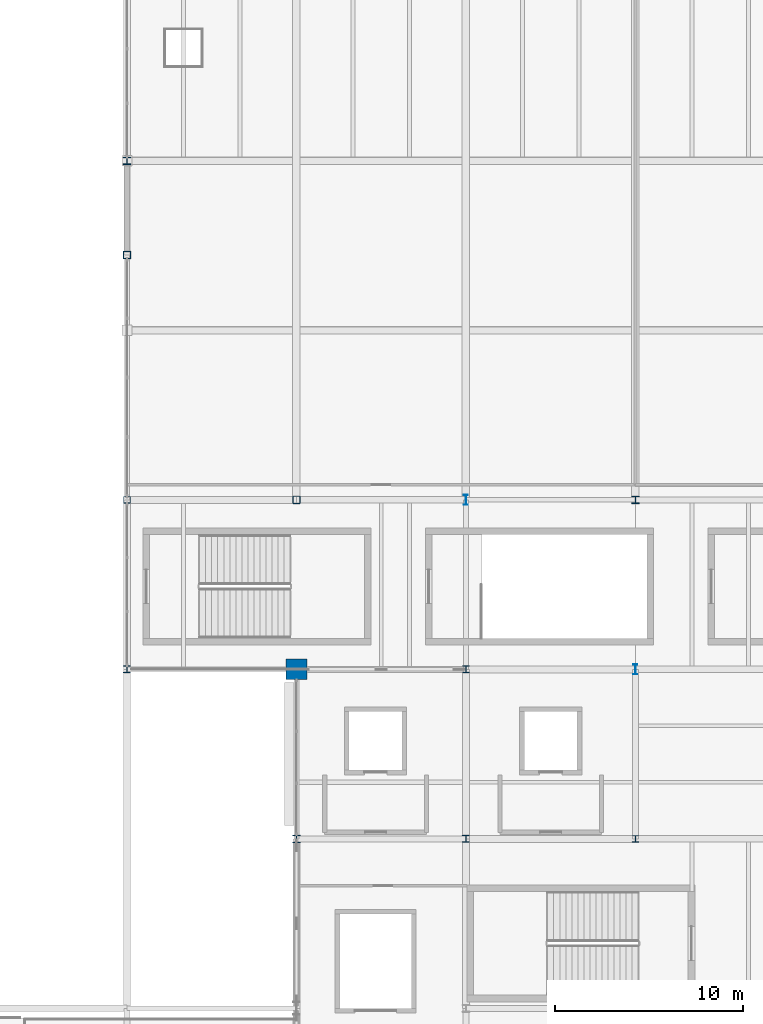
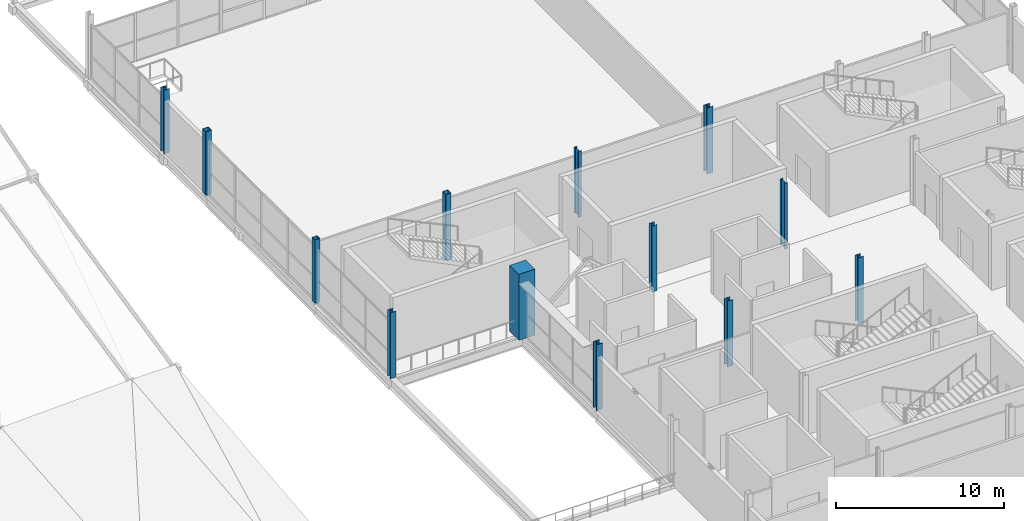
# One storey, part 6 of 69: 13 columns.
"""IFC4 building model written with IfcOpenShell, lengths in metres."""

import ifcopenshell
import ifcopenshell.guid

model = None  # the IFC model being written
_history = None  # IfcOwnerHistory: only IFC2X3 demands one
_inside = {}  # id of a spatial element -> (the spatial element, [elements in it])
_under = {}  # id of a project, library or spatial element -> (it, [spatial elements below it])
_declared = {}  # id of a project -> (the project, [libraries it declares])
_typed = {}  # id of a type object -> (the type object, [elements of that type])
_made_of = {}  # id of a material, layer set ... -> (it, [elements and type objects made of it])


def new_model(schema):
    """Start an empty IFC model of exactly this schema.

    Asked for "IFC4X3", IfcOpenShell would pick the latest addendum, in which some entities
    have other attributes; the version numbers below select the first issue.
    IFC2X3 requires an IfcOwnerHistory on every rooted entity: one is made here for all.
    """
    global model, _history
    if schema == "IFC4X3":
        model = ifcopenshell.file(schema_version=(4, 3, 0, 0))
    else:
        model = ifcopenshell.file(schema=schema)
    _inside.clear()
    _under.clear()
    _declared.clear()
    _typed.clear()
    _made_of.clear()
    _history = None
    if model.schema == "IFC2X3":
        org = make("IfcOrganization", Name="unknown")
        user = make(
            "IfcPersonAndOrganization",
            ThePerson=make("IfcPerson", FamilyName="unknown"),
            TheOrganization=org,
        )
        app = make(
            "IfcApplication",
            ApplicationDeveloper=org,
            Version="unknown",
            ApplicationFullName="unknown",
            ApplicationIdentifier="unknown",
        )
        _history = make(
            "IfcOwnerHistory",
            OwningUser=user,
            OwningApplication=app,
            ChangeAction="ADDED",
            CreationDate=0,
        )
    return model


def make(cls, **values):
    """One entity of the class cls with the attributes given. An attribute that is None is left unset."""
    return model.create_entity(
        cls, **{name: value for name, value in values.items() if value is not None}
    )


def rooted(cls, **values):
    """An entity with a GlobalId (a new one), such as an element, a storey or a relation."""
    return make(cls, GlobalId=ifcopenshell.guid.new(), OwnerHistory=_history, **values)


def si_unit(unit_type, name, prefix=None):
    """IfcSIUnit, for example si_unit("LENGTHUNIT", "METRE", prefix="MILLI")."""
    return make("IfcSIUnit", UnitType=unit_type, Prefix=prefix, Name=name)


def assignment(units):
    """IfcUnitAssignment: the units of a project."""
    return None if units is None else make("IfcUnitAssignment", Units=units)


def point(xyz):
    """IfcCartesianPoint."""
    return None if xyz is None else make("IfcCartesianPoint", Coordinates=xyz)


def direction(xyz):
    """IfcDirection."""
    return None if xyz is None else make("IfcDirection", DirectionRatios=xyz)


def frame(location, z_axis=None, x_axis=None):
    """IfcAxis2Placement3D, a coordinate frame: its origin and axes. An axis left out is left unset."""
    return make(
        "IfcAxis2Placement3D",
        Location=point(location),
        Axis=direction(z_axis),
        RefDirection=direction(x_axis),
    )


def frame_2d(location, x_axis=None):
    """IfcAxis2Placement2D, a coordinate frame in the plane: its origin and x axis."""
    return make(
        "IfcAxis2Placement2D", Location=point(location), RefDirection=direction(x_axis)
    )


def origin():
    """The frame at (0, 0, 0) with its axes left unset."""
    return frame((0.0, 0.0, 0.0))


def origin_2d():
    """The frame at (0, 0) in the plane with its x axis left unset."""
    return frame_2d((0.0, 0.0))


def place(relative_to, where):
    """IfcLocalPlacement: puts the frame where relative to a parent placement (None: the world)."""
    return make(
        "IfcLocalPlacement", PlacementRelTo=relative_to, RelativePlacement=where
    )


def context(
    kind, dimensions, precision=None, world=None, true_north=None, identifier=None
):
    """IfcGeometricRepresentationContext, for example the 3D "Model" context."""
    return make(
        "IfcGeometricRepresentationContext",
        ContextIdentifier=identifier,
        ContextType=kind,
        CoordinateSpaceDimension=dimensions,
        Precision=precision,
        WorldCoordinateSystem=world,
        TrueNorth=true_north,
    )


def subcontext(parent, identifier, kind, view, scale=None):
    """IfcGeometricRepresentationSubContext, for example "Body" below "Model"."""
    return make(
        "IfcGeometricRepresentationSubContext",
        ContextIdentifier=identifier,
        ContextType=kind,
        ParentContext=parent,
        TargetScale=scale,
        TargetView=view,
    )


def project(units=None, contexts=None):
    """IfcProject with its units and contexts."""
    return rooted(
        "IfcProject",
        Name="project",
        RepresentationContexts=contexts,
        UnitsInContext=assignment(units),
    )


def spatial(cls, under=None, at=None, **own):
    """A site, building, storey or space (cls), placed at a placement, below another one or the project."""
    s = rooted(cls, ObjectPlacement=at, **own)
    if under is not None:
        _under.setdefault(under.id(), (under, []))[1].append(s)
    return s


def profile(cls, at=None, kind="AREA", **sizes):
    """A parametric profile (cls). Its sizes go by their IFC names, for example OverallWidth=200.0."""
    return make(cls, ProfileType=kind, Position=at, **sizes)


def rectangle(**sizes):
    """IfcRectangleProfileDef."""
    return profile("IfcRectangleProfileDef", **sizes)


def hollow_rectangle(**sizes):
    """IfcRectangleHollowProfileDef."""
    return profile("IfcRectangleHollowProfileDef", **sizes)


def i_section(**sizes):
    """IfcIShapeProfileDef."""
    return profile("IfcIShapeProfileDef", **sizes)


def extrude(swept, where, along, depth):
    """IfcExtrudedAreaSolid: the profile swept, set in the frame where, extruded along a direction by depth."""
    return make(
        "IfcExtrudedAreaSolid",
        SweptArea=swept,
        Position=where,
        ExtrudedDirection=direction(along),
        Depth=depth,
    )


def shape(context_of_items, identifier, shape_type, items):
    """IfcShapeRepresentation: the items that make up one representation, for example the "Body"."""
    return make(
        "IfcShapeRepresentation",
        ContextOfItems=context_of_items,
        RepresentationIdentifier=identifier,
        RepresentationType=shape_type,
        Items=items,
    )


def material(Name=None, Category=None):
    """IfcMaterial."""
    return make("IfcMaterial", Name=Name, Category=Category)


def material_profile(
    of_material, cross_section, Name=None, Category=None, Priority=None
):
    """IfcMaterialProfile: a cross section and its material."""
    return make(
        "IfcMaterialProfile",
        Name=Name,
        Material=of_material,
        Profile=cross_section,
        Priority=Priority,
        Category=Category,
    )


def profile_set(profiles, Name=None, composite=None):
    """IfcMaterialProfileSet."""
    return make(
        "IfcMaterialProfileSet",
        Name=Name,
        MaterialProfiles=profiles,
        CompositeProfile=composite,
    )


def made_of(thing, what):
    """Note that an element or type object is made of a material, layer set ...; save() writes the relation."""
    if what is not None:
        _made_of.setdefault(what.id(), (what, []))[1].append(thing)
    return thing


def type_object(cls, material=None, **own):
    """A type object (cls), such as IfcWallType, which elements share."""
    return made_of(rooted(cls, **own), material)


def element(
    cls,
    number,
    at=None,
    inside=None,
    cuts=None,
    type_object=None,
    material=None,
    context=None,
    identifier="Body",
    shape_type=None,
    held_by="IfcProductDefinitionShape",
    body=None,
    shapes=None,
    **own,
):
    """One element of the class cls, such as IfcWall. Its Tag is "e" and its number.

    at: its placement. inside: the storey or other place that contains it. cuts: it is an
    opening in that element (IfcRelVoidsElement). A single representation is given by context,
    identifier, shape_type and body (its items); several are given by shapes. held_by: the class
    of the entity that holds the representations. save() writes the other relations.
    """
    e = rooted(cls, Tag="e%d" % number, ObjectPlacement=at, **own)
    if body is not None:
        shapes = [shape(context, identifier, shape_type, body)]
    if shapes is not None:
        e.Representation = make(held_by, Representations=shapes)
    if inside is not None:
        _inside.setdefault(inside.id(), (inside, []))[1].append(e)
    if cuts is not None:
        rooted(
            "IfcRelVoidsElement", RelatingBuildingElement=cuts, RelatedOpeningElement=e
        )
    if type_object is not None:
        _typed.setdefault(type_object.id(), (type_object, []))[1].append(e)
    return made_of(e, material)


def aggregate(whole, parts):
    """IfcRelAggregates: a whole, such as a stair, and the parts it consists of."""
    return rooted("IfcRelAggregates", RelatingObject=whole, RelatedObjects=parts)


def save(model, path):
    """Write the relations noted so far, then the file.

    IfcRelAggregates (storeys below a building ...), IfcRelContainedInSpatialStructure (elements
    in a storey), IfcRelDefinesByType, IfcRelAssociatesMaterial and IfcRelDeclares: one each for
    every whole, place, type object, material and project.
    """
    for whole, parts in _under.values():
        aggregate(whole, parts)
    for where, things in _inside.values():
        rooted(
            "IfcRelContainedInSpatialStructure",
            RelatedElements=things,
            RelatingStructure=where,
        )
    for kind, things in _typed.values():
        rooted("IfcRelDefinesByType", RelatedObjects=things, RelatingType=kind)
    for what, things in _made_of.values():
        rooted("IfcRelAssociatesMaterial", RelatedObjects=things, RelatingMaterial=what)
    for by, libraries in _declared.values():
        rooted("IfcRelDeclares", RelatingContext=by, RelatedDefinitions=libraries)
    model.write(path)


model = new_model("IFC4")

# Units and contexts
model_context = context("Model", 3, precision=1e-05, world=origin(), true_north=direction((0.0, 1.0)))
body_context = subcontext(model_context, "Body", "Model", "MODEL_VIEW")
ifc_project = project(units=[si_unit("LENGTHUNIT", "METRE"), si_unit("AREAUNIT", "SQUARE_METRE"), si_unit("VOLUMEUNIT", "CUBIC_METRE"), si_unit("PLANEANGLEUNIT", "RADIAN"), si_unit("MASSUNIT", "GRAM", prefix="KILO")], contexts=[model_context])

# Site, building, storey
site_placement = place(None, origin())
site = spatial("IfcSite", under=ifc_project, at=site_placement, CompositionType="ELEMENT")
building_placement = place(site_placement, origin())
building = spatial("IfcBuilding", under=site, at=building_placement, Name="Qamarlyn Nura Convention Centre", CompositionType="ELEMENT")
storey_placement = place(building_placement, frame((0.0, 0.0, 15.60009765625)))
storey = spatial("IfcBuildingStorey", under=building, at=storey_placement, Name="L03", CompositionType="ELEMENT", Elevation=15.60009765625)

# Columns
ifc_material_1 = material(Name="Steel ASTM A500 Grade C", Category="steel")
ifc_material_profile_1 = material_profile(ifc_material_1, hollow_rectangle(XDim=0.39990234375, YDim=0.39990234375, WallThickness=0.01611328125, InnerFilletRadius=0.01611328125, OuterFilletRadius=0.031982421875, at=origin_2d()), Name="HSS400X400X16")
ifc_profile_set_1 = profile_set([ifc_material_profile_1], Name="Steel ASTM A500 Grade C")
column_type_1 = type_object("IfcColumnType", Name="COL-HSS-1", PredefinedType="COLUMN", material=ifc_profile_set_1)
column_1_placement = place(storey_placement, frame((144.0, 103.0, 0.0), z_axis=(0.0, 0.0, 1.0), x_axis=(1.0, 0.0, 0.0)))
element("IfcColumn", 1, at=column_1_placement, inside=storey, type_object=column_type_1, Name="L03 column 12/M", PredefinedType="COLUMN", context=body_context, shape_type="SweptSolid", body=[
    extrude(hollow_rectangle(XDim=0.39990234375, YDim=0.39990234375, WallThickness=0.01611328125, InnerFilletRadius=0.01611328125, OuterFilletRadius=0.031982421875, at=origin_2d()), origin(), (0.0, 0.0, 1.0), 4.639892578125),
])
column_2_placement = place(storey_placement, frame((153.0, 90.0, 0.0), z_axis=(0.0, 0.0, 1.0), x_axis=(1.0, 0.0, 0.0)))
element("IfcColumn", 2, at=column_2_placement, inside=storey, type_object=column_type_1, Name="L03 column 13/L", PredefinedType="COLUMN", context=body_context, shape_type="SweptSolid", body=[
    extrude(hollow_rectangle(XDim=0.39990234375, YDim=0.39990234375, WallThickness=0.01611328125, InnerFilletRadius=0.01611328125, OuterFilletRadius=0.031982421875, at=origin_2d()), origin(), (0.0, 0.0, 1.0), 4.7998046875),
])
ifc_material_profile_2 = material_profile(ifc_material_1, hollow_rectangle(XDim=0.35009765625, YDim=0.35009765625, WallThickness=0.012451171875, InnerFilletRadius=0.012451171875, OuterFilletRadius=0.02490234375, at=origin_2d()), Name="HSS350X350X12.5")
ifc_profile_set_2 = profile_set([ifc_material_profile_2], Name="Steel ASTM A500 Grade C")
column_type_2 = type_object("IfcColumnType", Name="COL-HSS-2", PredefinedType="COLUMN", material=ifc_profile_set_2)
column_3_placement = place(storey_placement, frame((144.0, 90.0, 0.0), z_axis=(0.0, 0.0, 1.0), x_axis=(1.0, 0.0, 0.0)))
element("IfcColumn", 3, at=column_3_placement, inside=storey, type_object=column_type_2, Name="L03 column 12/L", PredefinedType="COLUMN", context=body_context, shape_type="SweptSolid", body=[
    extrude(hollow_rectangle(XDim=0.35009765625, YDim=0.35009765625, WallThickness=0.012451171875, InnerFilletRadius=0.012451171875, OuterFilletRadius=0.02490234375, at=origin_2d()), origin(), (0.0, 0.0, 1.0), 4.635009765625),
])
ifc_material_2 = material(Name="Steel ASTM A992", Category="steel")
ifc_material_profile_3 = material_profile(ifc_material_2, i_section(OverallWidth=0.408935546875, OverallDepth=0.425048828125, WebThickness=0.030517578125, FlangeThickness=0.049072265625, FilletRadius=0.02001953125, at=origin_2d()), Name="W360X421")
ifc_profile_set_3 = profile_set([ifc_material_profile_3], Name="Steel ASTM A992")
column_type_3 = type_object("IfcColumnType", Name="COL-MEGA-1", PredefinedType="COLUMN", material=ifc_profile_set_3)
column_4_placement = place(storey_placement, frame((153.0, 72.0, 0.0), z_axis=(0.0, 0.0, 1.0), x_axis=(1.0, 0.0, 0.0)))
element("IfcColumn", 4, at=column_4_placement, inside=storey, type_object=column_type_3, Name="L03 column 13/J", PredefinedType="COLUMN", context=body_context, shape_type="SweptSolid", body=[
    extrude(i_section(OverallWidth=0.408935546875, OverallDepth=0.425048828125, WebThickness=0.030517578125, FlangeThickness=0.049072265625, FilletRadius=0.02001953125, at=origin_2d()), origin(), (0.0, 0.0, 1.0), 4.7998046875),
])
ifc_material_3 = material(Name="Concrete C50/60", Category="concrete")
ifc_material_profile_4 = material_profile(ifc_material_3, rectangle(XDim=1.10009765625, YDim=1.10009765625, at=origin_2d()), Name="RC 1100x1100")
ifc_profile_set_4 = profile_set([ifc_material_profile_4], Name="Concrete C50/60")
column_type_4 = type_object("IfcColumnType", Name="COL-MEGA-2", PredefinedType="COLUMN", material=ifc_profile_set_4)
column_5_placement = place(storey_placement, frame((153.0, 81.0, 0.0), z_axis=(0.0, 0.0, 1.0), x_axis=(1.0, 0.0, 0.0)))
element("IfcColumn", 5, at=column_5_placement, inside=storey, type_object=column_type_4, Name="L03 column 13/K", PredefinedType="COLUMN", context=body_context, shape_type="SweptSolid", body=[
    extrude(rectangle(XDim=1.10009765625, YDim=1.10009765625, at=origin_2d()), origin(), (0.0, 0.0, 1.0), 4.7998046875),
])
ifc_material_profile_5 = material_profile(ifc_material_2, i_section(OverallWidth=0.39892578125, OverallDepth=0.39306640625, WebThickness=0.022705078125, FlangeThickness=0.03662109375, FilletRadius=0.01806640625, at=origin_2d()), Name="W360X287")
ifc_profile_set_5 = profile_set([ifc_material_profile_5], Name="Steel ASTM A992")
column_type_5 = type_object("IfcColumnType", Name="COL-WING-1", PredefinedType="COLUMN", material=ifc_profile_set_5)
column_6_placement = place(storey_placement, frame((144.0, 108.0, 0.0), z_axis=(0.0, 0.0, 1.0), x_axis=(1.0, 0.0, 0.0)))
element("IfcColumn", 6, at=column_6_placement, inside=storey, type_object=column_type_5, Name="L03 column 12/N", PredefinedType="COLUMN", context=body_context, shape_type="SweptSolid", body=[
    extrude(i_section(OverallWidth=0.39892578125, OverallDepth=0.39306640625, WebThickness=0.022705078125, FlangeThickness=0.03662109375, FilletRadius=0.01806640625, at=origin_2d()), origin(), (0.0, 0.0, 1.0), 4.639892578125),
])
column_7_placement = place(storey_placement, frame((171.0, 90.0, 0.0), z_axis=(0.0, 0.0, 1.0), x_axis=(1.0, 0.0, 0.0)))
element("IfcColumn", 7, at=column_7_placement, inside=storey, type_object=column_type_5, Name="L03 column 15/L", PredefinedType="COLUMN", context=body_context, shape_type="SweptSolid", body=[
    extrude(i_section(OverallWidth=0.39892578125, OverallDepth=0.39306640625, WebThickness=0.022705078125, FlangeThickness=0.03662109375, FilletRadius=0.01806640625, at=origin_2d()), origin(), (0.0, 0.0, 1.0), 4.7998046875),
])
ifc_material_profile_6 = material_profile(ifc_material_2, i_section(OverallWidth=0.3740234375, OverallDepth=0.3720703125, WebThickness=0.016357421875, FlangeThickness=0.026123046875, FilletRadius=0.01611328125, at=origin_2d()), Name="W360X196")
ifc_profile_set_6 = profile_set([ifc_material_profile_6], Name="Steel ASTM A992")
column_type_6 = type_object("IfcColumnType", Name="COL-WING-2", PredefinedType="COLUMN", material=ifc_profile_set_6)
for number, where, z_axis, x_axis, name in (
    (8, (144.0, 81.0, 0.0), (0.0, 0.0, 1.0), (1.0, 0.0, 0.0), "L03 column 12/K"),
    (9, (162.0, 72.0, 0.0), (0.0, 0.0, 1.0), (1.0, 0.0, 0.0), "L03 column 14/J"),
):
    element("IfcColumn", number, at=place(storey_placement, frame(where, z_axis=z_axis, x_axis=x_axis)), inside=storey, type_object=column_type_6, Name=name, PredefinedType="COLUMN", context=body_context, shape_type="SweptSolid", body=[
        extrude(i_section(OverallWidth=0.3740234375, OverallDepth=0.3720703125, WebThickness=0.016357421875, FlangeThickness=0.026123046875, FilletRadius=0.01611328125, at=origin_2d()), origin(), (0.0, 0.0, 1.0), 4.7998046875),
    ])
ifc_material_profile_7 = material_profile(ifc_material_2, i_section(OverallWidth=0.368896484375, OverallDepth=0.35595703125, WebThickness=0.01123046875, FlangeThickness=0.01806640625, FilletRadius=0.014892578125, at=origin_2d()), Name="W360X134")
ifc_profile_set_7 = profile_set([ifc_material_profile_7], Name="Steel ASTM A992")
column_type_7 = type_object("IfcColumnType", Name="COL-WING-3", PredefinedType="COLUMN", material=ifc_profile_set_7)
for number, where, z_axis, x_axis, name in (
    (10, (162.0, 81.0, 0.0), (0.0, 0.0, 1.0), (1.0, 0.0, 0.0), "L03 column 14/K"),
    (11, (171.0, 72.0, 0.0), (0.0, 0.0, 1.0), (1.0, 0.0, 0.0), "L03 column 15/J"),
):
    element("IfcColumn", number, at=place(storey_placement, frame(where, z_axis=z_axis, x_axis=x_axis)), inside=storey, type_object=column_type_7, Name=name, PredefinedType="COLUMN", context=body_context, shape_type="SweptSolid", body=[
        extrude(i_section(OverallWidth=0.368896484375, OverallDepth=0.35595703125, WebThickness=0.01123046875, FlangeThickness=0.01806640625, FilletRadius=0.014892578125, at=origin_2d()), origin(), (0.0, 0.0, 1.0), 4.7998046875),
    ])
ifc_material_profile_8 = material_profile(ifc_material_2, i_section(OverallWidth=0.2109375, OverallDepth=0.5390625, WebThickness=0.01171875, FlangeThickness=0.018798828125, FilletRadius=0.013916015625, at=origin_2d()), Name="W530X109")
ifc_profile_set_8 = profile_set([ifc_material_profile_8], Name="Steel ASTM A992")
column_type_8 = type_object("IfcColumnType", Name="COL-WING-7", PredefinedType="COLUMN", material=ifc_profile_set_8)
for number, where, z_axis, x_axis, name in (
    (12, (162.0, 90.0, 0.0), (0.0, 0.0, 1.0), (1.0, 0.0, 0.0), "L03 column 14/L"),
    (13, (171.0, 81.0, 0.0), (0.0, 0.0, 1.0), (1.0, 0.0, 0.0), "L03 column 15/K"),
):
    element("IfcColumn", number, at=place(storey_placement, frame(where, z_axis=z_axis, x_axis=x_axis)), inside=storey, type_object=column_type_8, Name=name, PredefinedType="COLUMN", context=body_context, shape_type="SweptSolid", body=[
        extrude(i_section(OverallWidth=0.2109375, OverallDepth=0.5390625, WebThickness=0.01171875, FlangeThickness=0.018798828125, FilletRadius=0.013916015625, at=origin_2d()), origin(), (0.0, 0.0, 1.0), 4.7998046875),
    ])

save(model, "model.ifc")
